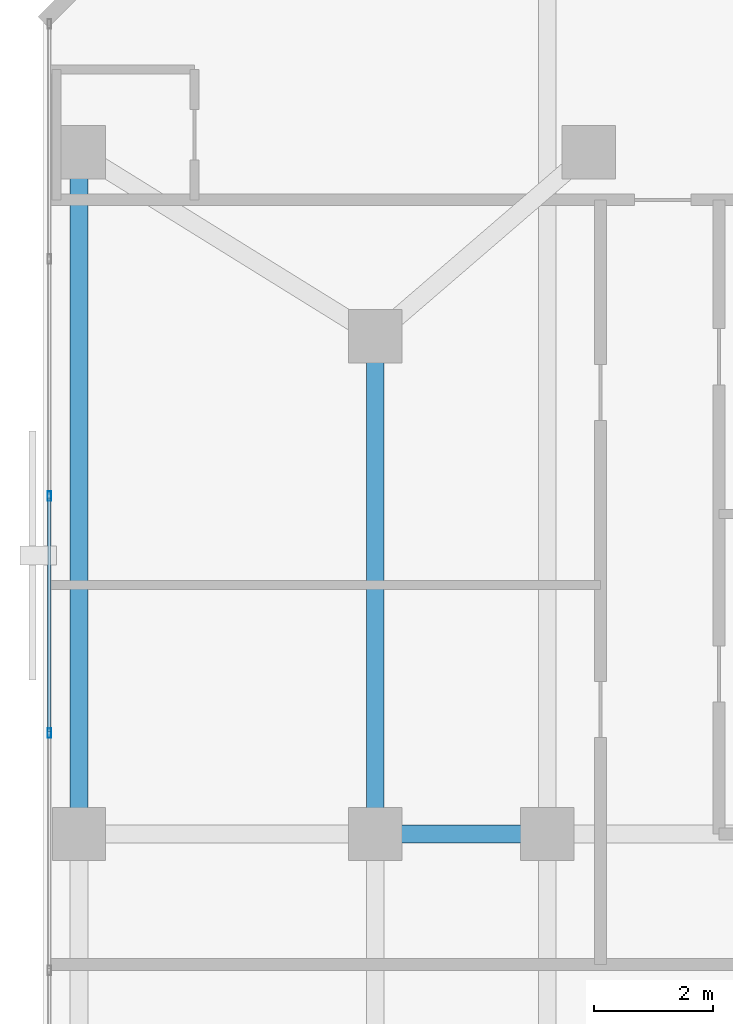
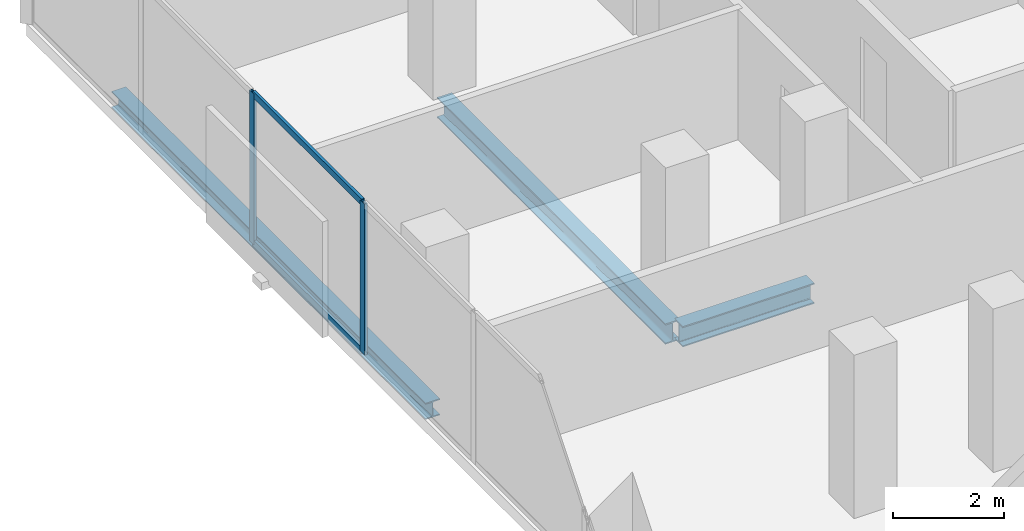
# One storey, part 11 of 33: 4 members, 3 beams, 1 element without a shape of its own.
"""IFC4 building model written with IfcOpenShell, lengths in metres."""

from ifc_helpers import new_model, si_unit, direction, frame, origin, origin_2d, place, context, subcontext, project, spatial, hollow_rectangle, i_section, extrude, material, layer, layer_set, material_profile, profile_set, type_object, element, aggregate, save


model = new_model("IFC4")

# Units and contexts
model_context = context("Model", 3, precision=1e-05, world=origin(), true_north=direction((0.0, 1.0)))
body_context = subcontext(model_context, "Body", "Model", "MODEL_VIEW")
ifc_project = project(units=[si_unit("LENGTHUNIT", "METRE"), si_unit("AREAUNIT", "SQUARE_METRE"), si_unit("VOLUMEUNIT", "CUBIC_METRE"), si_unit("PLANEANGLEUNIT", "RADIAN"), si_unit("MASSUNIT", "GRAM", prefix="KILO")], contexts=[model_context])

# Site, building, storey
site_placement = place(None, origin())
site = spatial("IfcSite", under=ifc_project, at=site_placement, CompositionType="ELEMENT")
building_placement = place(site_placement, origin())
building = spatial("IfcBuilding", under=site, at=building_placement, Name="Catumbela Crestline Tower", CompositionType="ELEMENT")
storey_placement = place(building_placement, frame((0.0, 0.0, 108.0)))
storey = spatial("IfcBuildingStorey", under=building, at=storey_placement, Name="L27", CompositionType="ELEMENT", Elevation=108.0)

# Beams
ifc_material_1 = material(Name="Structural steel S355J2", Category="steel")
ifc_material_profile_1 = material_profile(ifc_material_1, i_section(OverallWidth=0.3, OverallDepth=0.45, WebThickness=0.014, FlangeThickness=0.026, FilletRadius=0.027, at=origin_2d()), Name="HEB 450")
ifc_profile_set_1 = profile_set([ifc_material_profile_1], Name="Structural steel S355J2")
beam_type_1 = type_object("IfcBeamType", Name="BG-HEB450", PredefinedType="BEAM", material=ifc_profile_set_1)
beam_1_placement = place(storey_placement, frame((5.68, 30.8, -0.485), z_axis=(1.0, 0.0, 0.0), x_axis=(0.0, 1.0, 0.0)))
element("IfcBeam", 1, at=beam_1_placement, inside=storey, type_object=beam_type_1, Name="L27 Beam BM-L27-M08", PredefinedType="BEAM", context=body_context, shape_type="SweptSolid", body=[
    extrude(i_section(OverallWidth=0.3, OverallDepth=0.45, WebThickness=0.014, FlangeThickness=0.026, FilletRadius=0.027, at=origin_2d()), origin(), (0.0, 0.0, 1.0), 2.74),
])
beam_2_placement = place(storey_placement, frame((5.6, 30.88, -0.485), z_axis=(0.0, 1.0, 0.0), x_axis=(-1.0, 0.0, 0.0)))
element("IfcBeam", 2, at=beam_2_placement, inside=storey, type_object=beam_type_1, Name="L27 Beam BM-L27-SN25", PredefinedType="BEAM", context=body_context, shape_type="SweptSolid", body=[
    extrude(i_section(OverallWidth=0.3, OverallDepth=0.45, WebThickness=0.014, FlangeThickness=0.026, FilletRadius=0.027, at=origin_2d()), origin(), (0.0, 0.0, 1.0), 8.24),
])

# Curtain wall, members
ifc_material_2 = material(Name="Aluminium alloy AW-6060-T66", Category="aluminium")
ifc_layer = layer(ifc_material_2, 0.18, Name="Aluminium alloy AW-6060-T66")
ifc_layer_set = layer_set([ifc_layer], Name="Aluminium alloy AW-6060-T66")
curtain_wall_type = type_object("IfcCurtainWallType", Name="CWU-Z2", PredefinedType="USERDEFINED", material=ifc_layer_set)
curtain_wall_placement = place(storey_placement, origin())
curtain_wall = element("IfcCurtainWall", 3, at=curtain_wall_placement, inside=storey, type_object=curtain_wall_type, Name="L27 Unitised Curtain Wall CW-L27-E9S1", ObjectType="UNITISED", PredefinedType="USERDEFINED")
ifc_material_profile_2 = material_profile(ifc_material_2, hollow_rectangle(XDim=0.06, YDim=0.16, WallThickness=0.004, at=origin_2d()), Name="ALU 160x60x4")
ifc_profile_set_2 = profile_set([ifc_material_profile_2], Name="Aluminium alloy AW-6060-T66")
member_type_1 = type_object("IfcMemberType", Name="MUL-160X60", PredefinedType="MULLION", material=ifc_profile_set_2)
member_1_placement = place(storey_placement, frame((0.1, 36.5, 0.0), z_axis=(0.0, 0.0, 1.0), x_axis=(1.0, 0.0, 0.0)))
member_1 = element("IfcMember", 4, at=member_1_placement, type_object=member_type_1, Name="CWU-Z2 mullion 3", PredefinedType="MULLION", context=body_context, shape_type="SweptSolid", body=[
    extrude(hollow_rectangle(XDim=0.06, YDim=0.16, WallThickness=0.004, at=origin_2d()), origin(), (0.0, 0.0, 1.0), 3.33),
])
member_2_placement = place(storey_placement, frame((0.1, 32.5, 0.0), z_axis=(0.0, 0.0, 1.0), x_axis=(1.0, 0.0, 0.0)))
member_2 = element("IfcMember", 5, at=member_2_placement, type_object=member_type_1, Name="CWU-Z2 mullion 4", PredefinedType="MULLION", context=body_context, shape_type="SweptSolid", body=[
    extrude(hollow_rectangle(XDim=0.06, YDim=0.16, WallThickness=0.004, at=origin_2d()), origin(), (0.0, 0.0, 1.0), 3.33),
])

# Beam
ifc_material_profile_3 = material_profile(ifc_material_1, i_section(OverallWidth=0.3, OverallDepth=0.36, WebThickness=0.0125, FlangeThickness=0.0225, FilletRadius=0.027, at=origin_2d()), Name="HEB 360")
ifc_profile_set_3 = profile_set([ifc_material_profile_3], Name="Structural steel S355J2")
beam_type_2 = type_object("IfcBeamType", Name="BS-HEB360", PredefinedType="SPANDREL", material=ifc_profile_set_3)
beam_3_placement = place(storey_placement, frame((0.6, 30.88, -0.44), z_axis=(0.0, 1.0, 0.0), x_axis=(-1.0, 0.0, 0.0)))
element("IfcBeam", 6, at=beam_3_placement, inside=storey, type_object=beam_type_2, Name="L27 Spandrel SP-L27-SN23", PredefinedType="SPANDREL", context=body_context, shape_type="SweptSolid", body=[
    extrude(i_section(OverallWidth=0.3, OverallDepth=0.36, WebThickness=0.0125, FlangeThickness=0.0225, FilletRadius=0.027, at=origin_2d()), origin(), (0.0, 0.0, 1.0), 11.34),
])

# Member
ifc_material_profile_4 = material_profile(ifc_material_2, hollow_rectangle(XDim=0.06, YDim=0.14, WallThickness=0.004, at=origin_2d()), Name="ALU 140x60x4")
ifc_profile_set_4 = profile_set([ifc_material_profile_4], Name="Aluminium alloy AW-6060-T66")
member_type_2 = type_object("IfcMemberType", Name="TRN-140X60", PredefinedType="USERDEFINED", material=ifc_profile_set_4)
member_3_placement = place(storey_placement, frame((0.1, 36.4675, 0.03), z_axis=(0.0, -1.0, 0.0), x_axis=(1.0, 0.0, 0.0)))
member_3 = element("IfcMember", 7, at=member_3_placement, type_object=member_type_2, Name="CWU-Z2 transom 3.1", ObjectType="TRANSOM", PredefinedType="USERDEFINED", context=body_context, shape_type="SweptSolid", body=[
    extrude(hollow_rectangle(XDim=0.06, YDim=0.14, WallThickness=0.004, at=origin_2d()), origin(), (0.0, 0.0, 1.0), 3.935),
])

member_4_placement = place(storey_placement, frame((0.1, 36.4675, 3.3), z_axis=(0.0, -1.0, 0.0), x_axis=(1.0, 0.0, 0.0)))
member_4 = element("IfcMember", 8, at=member_4_placement, type_object=member_type_2, Name="CWU-Z2 transom 3.2", ObjectType="TRANSOM", PredefinedType="USERDEFINED", context=body_context, shape_type="SweptSolid", body=[
    extrude(hollow_rectangle(XDim=0.06, YDim=0.14, WallThickness=0.004, at=origin_2d()), origin(), (0.0, 0.0, 1.0), 3.935),
])

aggregate(curtain_wall, [member_1, member_2, member_3, member_4])

save(model, "model.ifc")
